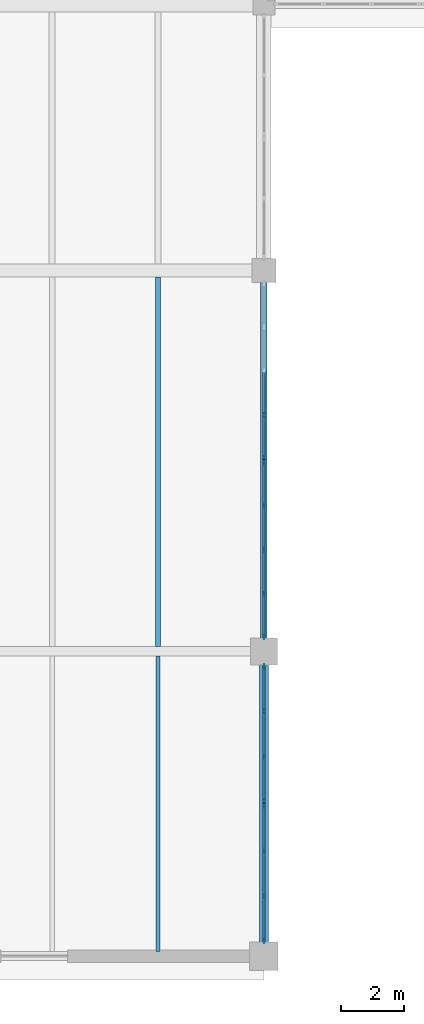
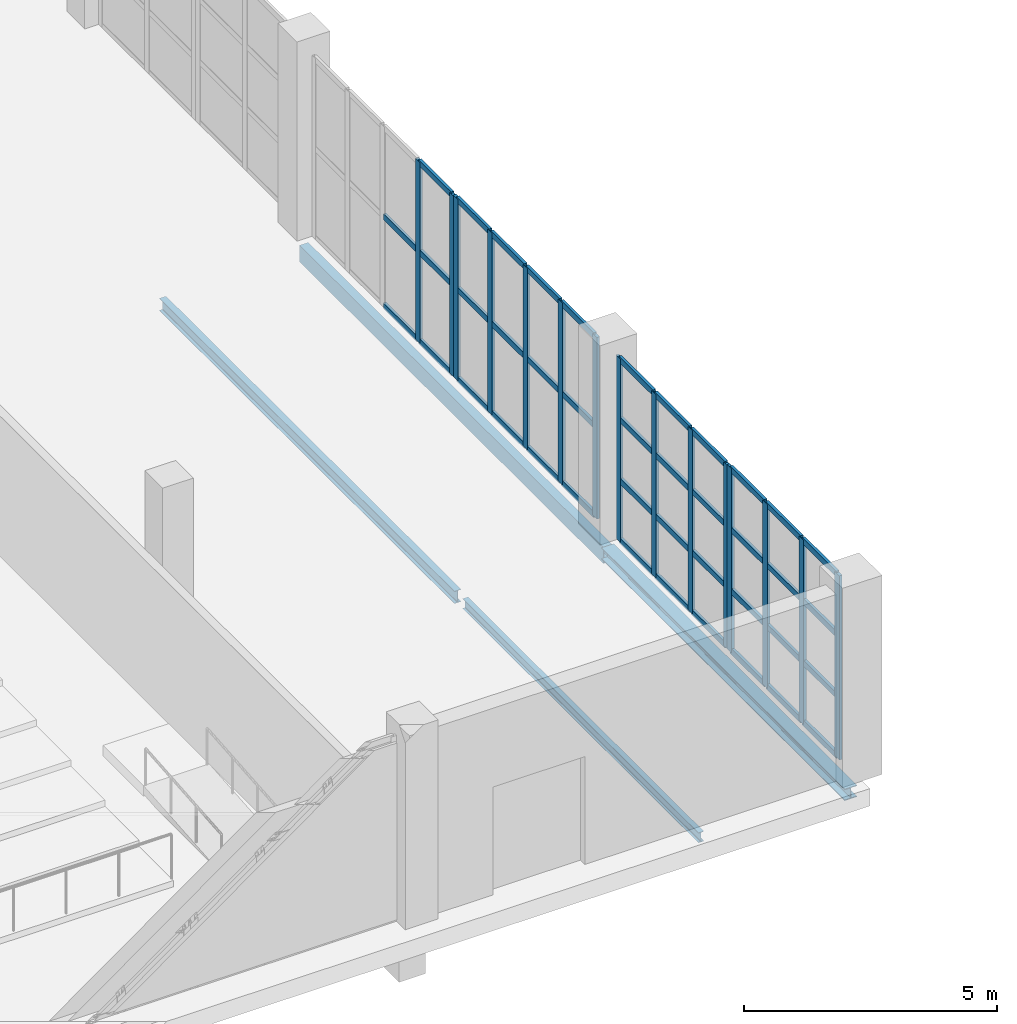
# One storey, part 62 of 121: 56 members, 4 beams, 4 elements without a shape of their own.
"""IFC4 building model written with IfcOpenShell, lengths in metres."""

import ifcopenshell
import ifcopenshell.guid

model = None  # the IFC model being written
_history = None  # IfcOwnerHistory: only IFC2X3 demands one
_inside = {}  # id of a spatial element -> (the spatial element, [elements in it])
_under = {}  # id of a project, library or spatial element -> (it, [spatial elements below it])
_declared = {}  # id of a project -> (the project, [libraries it declares])
_typed = {}  # id of a type object -> (the type object, [elements of that type])
_made_of = {}  # id of a material, layer set ... -> (it, [elements and type objects made of it])


def new_model(schema):
    """Start an empty IFC model of exactly this schema.

    Asked for "IFC4X3", IfcOpenShell would pick the latest addendum, in which some entities
    have other attributes; the version numbers below select the first issue.
    IFC2X3 requires an IfcOwnerHistory on every rooted entity: one is made here for all.
    """
    global model, _history
    if schema == "IFC4X3":
        model = ifcopenshell.file(schema_version=(4, 3, 0, 0))
    else:
        model = ifcopenshell.file(schema=schema)
    _inside.clear()
    _under.clear()
    _declared.clear()
    _typed.clear()
    _made_of.clear()
    _history = None
    if model.schema == "IFC2X3":
        org = make("IfcOrganization", Name="unknown")
        user = make(
            "IfcPersonAndOrganization",
            ThePerson=make("IfcPerson", FamilyName="unknown"),
            TheOrganization=org,
        )
        app = make(
            "IfcApplication",
            ApplicationDeveloper=org,
            Version="unknown",
            ApplicationFullName="unknown",
            ApplicationIdentifier="unknown",
        )
        _history = make(
            "IfcOwnerHistory",
            OwningUser=user,
            OwningApplication=app,
            ChangeAction="ADDED",
            CreationDate=0,
        )
    return model


def make(cls, **values):
    """One entity of the class cls with the attributes given. An attribute that is None is left unset."""
    return model.create_entity(
        cls, **{name: value for name, value in values.items() if value is not None}
    )


def rooted(cls, **values):
    """An entity with a GlobalId (a new one), such as an element, a storey or a relation."""
    return make(cls, GlobalId=ifcopenshell.guid.new(), OwnerHistory=_history, **values)


def si_unit(unit_type, name, prefix=None):
    """IfcSIUnit, for example si_unit("LENGTHUNIT", "METRE", prefix="MILLI")."""
    return make("IfcSIUnit", UnitType=unit_type, Prefix=prefix, Name=name)


def assignment(units):
    """IfcUnitAssignment: the units of a project."""
    return None if units is None else make("IfcUnitAssignment", Units=units)


def point(xyz):
    """IfcCartesianPoint."""
    return None if xyz is None else make("IfcCartesianPoint", Coordinates=xyz)


def direction(xyz):
    """IfcDirection."""
    return None if xyz is None else make("IfcDirection", DirectionRatios=xyz)


def frame(location, z_axis=None, x_axis=None):
    """IfcAxis2Placement3D, a coordinate frame: its origin and axes. An axis left out is left unset."""
    return make(
        "IfcAxis2Placement3D",
        Location=point(location),
        Axis=direction(z_axis),
        RefDirection=direction(x_axis),
    )


def frame_2d(location, x_axis=None):
    """IfcAxis2Placement2D, a coordinate frame in the plane: its origin and x axis."""
    return make(
        "IfcAxis2Placement2D", Location=point(location), RefDirection=direction(x_axis)
    )


def origin():
    """The frame at (0, 0, 0) with its axes left unset."""
    return frame((0.0, 0.0, 0.0))


def origin_2d():
    """The frame at (0, 0) in the plane with its x axis left unset."""
    return frame_2d((0.0, 0.0))


def place(relative_to, where):
    """IfcLocalPlacement: puts the frame where relative to a parent placement (None: the world)."""
    return make(
        "IfcLocalPlacement", PlacementRelTo=relative_to, RelativePlacement=where
    )


def context(
    kind, dimensions, precision=None, world=None, true_north=None, identifier=None
):
    """IfcGeometricRepresentationContext, for example the 3D "Model" context."""
    return make(
        "IfcGeometricRepresentationContext",
        ContextIdentifier=identifier,
        ContextType=kind,
        CoordinateSpaceDimension=dimensions,
        Precision=precision,
        WorldCoordinateSystem=world,
        TrueNorth=true_north,
    )


def subcontext(parent, identifier, kind, view, scale=None):
    """IfcGeometricRepresentationSubContext, for example "Body" below "Model"."""
    return make(
        "IfcGeometricRepresentationSubContext",
        ContextIdentifier=identifier,
        ContextType=kind,
        ParentContext=parent,
        TargetScale=scale,
        TargetView=view,
    )


def project(units=None, contexts=None):
    """IfcProject with its units and contexts."""
    return rooted(
        "IfcProject",
        Name="project",
        RepresentationContexts=contexts,
        UnitsInContext=assignment(units),
    )


def spatial(cls, under=None, at=None, **own):
    """A site, building, storey or space (cls), placed at a placement, below another one or the project."""
    s = rooted(cls, ObjectPlacement=at, **own)
    if under is not None:
        _under.setdefault(under.id(), (under, []))[1].append(s)
    return s


def profile(cls, at=None, kind="AREA", **sizes):
    """A parametric profile (cls). Its sizes go by their IFC names, for example OverallWidth=200.0."""
    return make(cls, ProfileType=kind, Position=at, **sizes)


def rectangle(**sizes):
    """IfcRectangleProfileDef."""
    return profile("IfcRectangleProfileDef", **sizes)


def hollow_rectangle(**sizes):
    """IfcRectangleHollowProfileDef."""
    return profile("IfcRectangleHollowProfileDef", **sizes)


def i_section(**sizes):
    """IfcIShapeProfileDef."""
    return profile("IfcIShapeProfileDef", **sizes)


def extrude(swept, where, along, depth):
    """IfcExtrudedAreaSolid: the profile swept, set in the frame where, extruded along a direction by depth."""
    return make(
        "IfcExtrudedAreaSolid",
        SweptArea=swept,
        Position=where,
        ExtrudedDirection=direction(along),
        Depth=depth,
    )


def shape(context_of_items, identifier, shape_type, items):
    """IfcShapeRepresentation: the items that make up one representation, for example the "Body"."""
    return make(
        "IfcShapeRepresentation",
        ContextOfItems=context_of_items,
        RepresentationIdentifier=identifier,
        RepresentationType=shape_type,
        Items=items,
    )


def material(Name=None, Category=None):
    """IfcMaterial."""
    return make("IfcMaterial", Name=Name, Category=Category)


def layer(
    of_material, thickness, ventilated=None, Name=None, Category=None, Priority=None
):
    """IfcMaterialLayer: one layer of a wall or slab, of a material (None: an air gap)."""
    return make(
        "IfcMaterialLayer",
        Material=of_material,
        LayerThickness=thickness,
        IsVentilated=ventilated,
        Name=Name,
        Category=Category,
        Priority=Priority,
    )


def layer_set(layers, Name=None):
    """IfcMaterialLayerSet."""
    return make("IfcMaterialLayerSet", MaterialLayers=layers, LayerSetName=Name)


def material_profile(
    of_material, cross_section, Name=None, Category=None, Priority=None
):
    """IfcMaterialProfile: a cross section and its material."""
    return make(
        "IfcMaterialProfile",
        Name=Name,
        Material=of_material,
        Profile=cross_section,
        Priority=Priority,
        Category=Category,
    )


def profile_set(profiles, Name=None, composite=None):
    """IfcMaterialProfileSet."""
    return make(
        "IfcMaterialProfileSet",
        Name=Name,
        MaterialProfiles=profiles,
        CompositeProfile=composite,
    )


def made_of(thing, what):
    """Note that an element or type object is made of a material, layer set ...; save() writes the relation."""
    if what is not None:
        _made_of.setdefault(what.id(), (what, []))[1].append(thing)
    return thing


def type_object(cls, material=None, **own):
    """A type object (cls), such as IfcWallType, which elements share."""
    return made_of(rooted(cls, **own), material)


def element(
    cls,
    number,
    at=None,
    inside=None,
    cuts=None,
    type_object=None,
    material=None,
    context=None,
    identifier="Body",
    shape_type=None,
    held_by="IfcProductDefinitionShape",
    body=None,
    shapes=None,
    **own,
):
    """One element of the class cls, such as IfcWall. Its Tag is "e" and its number.

    at: its placement. inside: the storey or other place that contains it. cuts: it is an
    opening in that element (IfcRelVoidsElement). A single representation is given by context,
    identifier, shape_type and body (its items); several are given by shapes. held_by: the class
    of the entity that holds the representations. save() writes the other relations.
    """
    e = rooted(cls, Tag="e%d" % number, ObjectPlacement=at, **own)
    if body is not None:
        shapes = [shape(context, identifier, shape_type, body)]
    if shapes is not None:
        e.Representation = make(held_by, Representations=shapes)
    if inside is not None:
        _inside.setdefault(inside.id(), (inside, []))[1].append(e)
    if cuts is not None:
        rooted(
            "IfcRelVoidsElement", RelatingBuildingElement=cuts, RelatedOpeningElement=e
        )
    if type_object is not None:
        _typed.setdefault(type_object.id(), (type_object, []))[1].append(e)
    return made_of(e, material)


def aggregate(whole, parts):
    """IfcRelAggregates: a whole, such as a stair, and the parts it consists of."""
    return rooted("IfcRelAggregates", RelatingObject=whole, RelatedObjects=parts)


def save(model, path):
    """Write the relations noted so far, then the file.

    IfcRelAggregates (storeys below a building ...), IfcRelContainedInSpatialStructure (elements
    in a storey), IfcRelDefinesByType, IfcRelAssociatesMaterial and IfcRelDeclares: one each for
    every whole, place, type object, material and project.
    """
    for whole, parts in _under.values():
        aggregate(whole, parts)
    for where, things in _inside.values():
        rooted(
            "IfcRelContainedInSpatialStructure",
            RelatedElements=things,
            RelatingStructure=where,
        )
    for kind, things in _typed.values():
        rooted("IfcRelDefinesByType", RelatedObjects=things, RelatingType=kind)
    for what, things in _made_of.values():
        rooted("IfcRelAssociatesMaterial", RelatedObjects=things, RelatingMaterial=what)
    for by, libraries in _declared.values():
        rooted("IfcRelDeclares", RelatingContext=by, RelatedDefinitions=libraries)
    model.write(path)


model = new_model("IFC4")

# Units and contexts
model_context = context("Model", 3, precision=1e-05, world=origin(), true_north=direction((0.0, 1.0)))
body_context = subcontext(model_context, "Body", "Model", "MODEL_VIEW")
ifc_project = project(units=[si_unit("LENGTHUNIT", "METRE"), si_unit("AREAUNIT", "SQUARE_METRE"), si_unit("VOLUMEUNIT", "CUBIC_METRE"), si_unit("PLANEANGLEUNIT", "RADIAN"), si_unit("MASSUNIT", "GRAM", prefix="KILO")], contexts=[model_context])

# Site, building, storey
site_placement = place(None, origin())
site = spatial("IfcSite", under=ifc_project, at=site_placement, CompositionType="ELEMENT")
building_placement = place(site_placement, origin())
building = spatial("IfcBuilding", under=site, at=building_placement, Name="Zereglee Splitstone Museum", CompositionType="ELEMENT")
storey_placement = place(building_placement, origin())
storey = spatial("IfcBuildingStorey", under=building, at=storey_placement, Name="L00", CompositionType="ELEMENT", Elevation=0.0)

# Curtain wall, members
ifc_material_1 = material(Name="Triple-glazed low-E argon glass and bronze-anodised aluminium", Category="aluminium")
ifc_layer_1 = layer(ifc_material_1, 0.179931640625)
ifc_layer_set_1 = layer_set([ifc_layer_1], Name="Triple-glazed low-E argon glass and bronze-anodised aluminium")
curtain_wall_type_1 = type_object("IfcCurtainWallType", Name="CW-0431-444", PredefinedType="USERDEFINED", material=ifc_layer_set_1)
curtain_wall_1_placement = place(storey_placement, origin())
curtain_wall_1 = element("IfcCurtainWall", 1, at=curtain_wall_1_placement, inside=storey, type_object=curtain_wall_type_1, Name="Glazed Curtain Wall CW-0431-444 (L00)", ObjectType="GLAZED CURTAIN WALL", PredefinedType="USERDEFINED")
ifc_material_2 = material(Name="Thermally broken bronze-anodised aluminium", Category="aluminium")
ifc_material_profile_1 = material_profile(ifc_material_2, rectangle(XDim=0.06494140625, YDim=0.179931640625, at=origin_2d()), Name="CW MULL 65x180")
ifc_profile_set_1 = profile_set([ifc_material_profile_1], Name="Thermally broken bronze-anodised aluminium")
member_type_1 = type_object("IfcMemberType", Name="CWM-01", PredefinedType="MULLION", material=ifc_profile_set_1)
member_1_placement = place(storey_placement, frame((296.0, 0.490478515625, 0.0), z_axis=(0.0, 0.0, 1.0), x_axis=(-1.0, 0.0, 0.0)))
member_1 = element("IfcMember", 2, at=member_1_placement, type_object=member_type_1, Name="CW-0431-444 mullion 1", PredefinedType="MULLION", context=body_context, shape_type="SweptSolid", body=[
    extrude(rectangle(XDim=0.06494140625, YDim=0.179931640625, at=origin_2d()), origin(), (0.0, 0.0, 1.0), 4.43994140625),
])
member_2_placement = place(storey_placement, frame((296.0, 1.896240234375, 0.0), z_axis=(0.0, 0.0, 1.0), x_axis=(-1.0, 0.0, 0.0)))
member_2 = element("IfcMember", 3, at=member_2_placement, type_object=member_type_1, Name="CW-0431-444 mullion 2", PredefinedType="MULLION", context=body_context, shape_type="SweptSolid", body=[
    extrude(rectangle(XDim=0.06494140625, YDim=0.179931640625, at=origin_2d()), origin(), (0.0, 0.0, 1.0), 4.43994140625),
])
member_3_placement = place(storey_placement, frame((296.0, 3.334228515625, 0.0), z_axis=(0.0, 0.0, 1.0), x_axis=(-1.0, 0.0, 0.0)))
member_3 = element("IfcMember", 4, at=member_3_placement, type_object=member_type_1, Name="CW-0431-444 mullion 3", PredefinedType="MULLION", context=body_context, shape_type="SweptSolid", body=[
    extrude(rectangle(XDim=0.06494140625, YDim=0.179931640625, at=origin_2d()), origin(), (0.0, 0.0, 1.0), 4.43994140625),
])
member_4_placement = place(storey_placement, frame((296.0, 4.739990234375, 0.0), z_axis=(0.0, 0.0, 1.0), x_axis=(-1.0, 0.0, 0.0)))
member_4 = element("IfcMember", 5, at=member_4_placement, type_object=member_type_1, Name="CW-0431-444 mullion 4", PredefinedType="MULLION", context=body_context, shape_type="SweptSolid", body=[
    extrude(rectangle(XDim=0.06494140625, YDim=0.179931640625, at=origin_2d()), origin(), (0.0, 0.0, 1.0), 4.43994140625),
])

ifc_layer_2 = layer(ifc_material_1, 0.179931640625)
ifc_layer_set_2 = layer_set([ifc_layer_2], Name="Triple-glazed low-E argon glass and bronze-anodised aluminium")
curtain_wall_type_2 = type_object("IfcCurtainWallType", Name="CW-0431-442", PredefinedType="USERDEFINED", material=ifc_layer_set_2)
curtain_wall_2_placement = place(storey_placement, origin())
curtain_wall_2 = element("IfcCurtainWall", 6, at=curtain_wall_2_placement, inside=storey, type_object=curtain_wall_type_2, Name="Glazed Curtain Wall CW-0431-442 (L00)", ObjectType="GLAZED CURTAIN WALL", PredefinedType="USERDEFINED")
member_5_placement = place(storey_placement, frame((296.0, 4.885009765625, 0.0), z_axis=(0.0, 0.0, 1.0), x_axis=(-1.0, 0.0, 0.0)))
member_5 = element("IfcMember", 7, at=member_5_placement, type_object=member_type_1, Name="CW-0431-442 mullion 1", PredefinedType="MULLION", context=body_context, shape_type="SweptSolid", body=[
    extrude(rectangle(XDim=0.06494140625, YDim=0.179931640625, at=origin_2d()), origin(), (0.0, 0.0, 1.0), 4.419921875),
])
member_6_placement = place(storey_placement, frame((296.0, 6.290771484375, 0.0), z_axis=(0.0, 0.0, 1.0), x_axis=(-1.0, 0.0, 0.0)))
member_6 = element("IfcMember", 8, at=member_6_placement, type_object=member_type_1, Name="CW-0431-442 mullion 2", PredefinedType="MULLION", context=body_context, shape_type="SweptSolid", body=[
    extrude(rectangle(XDim=0.06494140625, YDim=0.179931640625, at=origin_2d()), origin(), (0.0, 0.0, 1.0), 4.419921875),
])
member_7_placement = place(storey_placement, frame((296.0, 7.728759765625, 0.0), z_axis=(0.0, 0.0, 1.0), x_axis=(-1.0, 0.0, 0.0)))
member_7 = element("IfcMember", 9, at=member_7_placement, type_object=member_type_1, Name="CW-0431-442 mullion 3", PredefinedType="MULLION", context=body_context, shape_type="SweptSolid", body=[
    extrude(rectangle(XDim=0.06494140625, YDim=0.179931640625, at=origin_2d()), origin(), (0.0, 0.0, 1.0), 4.419921875),
])
member_8_placement = place(storey_placement, frame((296.0, 9.134521484375, 0.0), z_axis=(0.0, 0.0, 1.0), x_axis=(-1.0, 0.0, 0.0)))
member_8 = element("IfcMember", 10, at=member_8_placement, type_object=member_type_1, Name="CW-0431-442 mullion 4", PredefinedType="MULLION", context=body_context, shape_type="SweptSolid", body=[
    extrude(rectangle(XDim=0.06494140625, YDim=0.179931640625, at=origin_2d()), origin(), (0.0, 0.0, 1.0), 4.419921875),
])

ifc_layer_3 = layer(ifc_material_1, 0.179931640625)
ifc_layer_set_3 = layer_set([ifc_layer_3], Name="Triple-glazed low-E argon glass and bronze-anodised aluminium")
curtain_wall_type_3 = type_object("IfcCurtainWallType", Name="CW-0555-438", PredefinedType="USERDEFINED", material=ifc_layer_set_3)
curtain_wall_3_placement = place(storey_placement, origin())
curtain_wall_3 = element("IfcCurtainWall", 11, at=curtain_wall_3_placement, inside=storey, type_object=curtain_wall_type_3, Name="Glazed Curtain Wall CW-0555-438 (L00)", ObjectType="GLAZED CURTAIN WALL", PredefinedType="USERDEFINED")
member_9_placement = place(storey_placement, frame((296.0, 10.0654296875, 0.0), z_axis=(0.0, 0.0, 1.0), x_axis=(-1.0, 0.0, 0.0)))
member_9 = element("IfcMember", 12, at=member_9_placement, type_object=member_type_1, Name="CW-0555-438 mullion 1", PredefinedType="MULLION", context=body_context, shape_type="SweptSolid", body=[
    extrude(rectangle(XDim=0.06494140625, YDim=0.179931640625, at=origin_2d()), origin(), (0.0, 0.0, 1.0), 4.3798828125),
])
member_10_placement = place(storey_placement, frame((296.0, 11.4208984375, 0.0), z_axis=(0.0, 0.0, 1.0), x_axis=(-1.0, 0.0, 0.0)))
member_10 = element("IfcMember", 13, at=member_10_placement, type_object=member_type_1, Name="CW-0555-438 mullion 2", PredefinedType="MULLION", context=body_context, shape_type="SweptSolid", body=[
    extrude(rectangle(XDim=0.06494140625, YDim=0.179931640625, at=origin_2d()), origin(), (0.0, 0.0, 1.0), 4.3798828125),
])
member_11_placement = place(storey_placement, frame((296.0, 12.80908203125, 0.0), z_axis=(0.0, 0.0, 1.0), x_axis=(-1.0, 0.0, 0.0)))
member_11 = element("IfcMember", 14, at=member_11_placement, type_object=member_type_1, Name="CW-0555-438 mullion 3", PredefinedType="MULLION", context=body_context, shape_type="SweptSolid", body=[
    extrude(rectangle(XDim=0.06494140625, YDim=0.179931640625, at=origin_2d()), origin(), (0.0, 0.0, 1.0), 4.3798828125),
])
member_12_placement = place(storey_placement, frame((296.0, 14.197021484375, 0.0), z_axis=(0.0, 0.0, 1.0), x_axis=(-1.0, 0.0, 0.0)))
member_12 = element("IfcMember", 15, at=member_12_placement, type_object=member_type_1, Name="CW-0555-438 mullion 4", PredefinedType="MULLION", context=body_context, shape_type="SweptSolid", body=[
    extrude(rectangle(XDim=0.06494140625, YDim=0.179931640625, at=origin_2d()), origin(), (0.0, 0.0, 1.0), 4.3798828125),
])
member_13_placement = place(storey_placement, frame((296.0, 15.552490234375, 0.0), z_axis=(0.0, 0.0, 1.0), x_axis=(-1.0, 0.0, 0.0)))
member_13 = element("IfcMember", 16, at=member_13_placement, type_object=member_type_1, Name="CW-0555-438 mullion 5", PredefinedType="MULLION", context=body_context, shape_type="SweptSolid", body=[
    extrude(rectangle(XDim=0.06494140625, YDim=0.179931640625, at=origin_2d()), origin(), (0.0, 0.0, 1.0), 4.3798828125),
])

ifc_layer_4 = layer(ifc_material_1, 0.179931640625)
ifc_layer_set_4 = layer_set([ifc_layer_4], Name="Triple-glazed low-E argon glass and bronze-anodised aluminium")
curtain_wall_type_4 = type_object("IfcCurtainWallType", Name="CW-0555-436", PredefinedType="USERDEFINED", material=ifc_layer_set_4)
curtain_wall_4_placement = place(storey_placement, origin())
curtain_wall_4 = element("IfcCurtainWall", 17, at=curtain_wall_4_placement, inside=storey, type_object=curtain_wall_type_4, Name="Glazed Curtain Wall CW-0555-436 (L00)", ObjectType="GLAZED CURTAIN WALL", PredefinedType="USERDEFINED")
member_14_placement = place(storey_placement, frame((296.0, 15.697509765625, 0.0), z_axis=(0.0, 0.0, 1.0), x_axis=(-1.0, 0.0, 0.0)))
member_14 = element("IfcMember", 18, at=member_14_placement, type_object=member_type_1, Name="CW-0555-436 mullion 1", PredefinedType="MULLION", context=body_context, shape_type="SweptSolid", body=[
    extrude(rectangle(XDim=0.06494140625, YDim=0.179931640625, at=origin_2d()), origin(), (0.0, 0.0, 1.0), 4.360107421875),
])
member_15_placement = place(storey_placement, frame((296.0, 17.052978515625, 0.0), z_axis=(0.0, 0.0, 1.0), x_axis=(-1.0, 0.0, 0.0)))
member_15 = element("IfcMember", 19, at=member_15_placement, type_object=member_type_1, Name="CW-0555-436 mullion 2", PredefinedType="MULLION", context=body_context, shape_type="SweptSolid", body=[
    extrude(rectangle(XDim=0.06494140625, YDim=0.179931640625, at=origin_2d()), origin(), (0.0, 0.0, 1.0), 4.360107421875),
])

# Member
ifc_material_profile_2 = material_profile(ifc_material_2, rectangle(XDim=0.06494140625, YDim=0.139892578125, at=origin_2d()), Name="CW TRAN 65x140")
ifc_profile_set_2 = profile_set([ifc_material_profile_2], Name="Thermally broken bronze-anodised aluminium")
member_type_2 = type_object("IfcMemberType", Name="CWT-01", PredefinedType="USERDEFINED", material=ifc_profile_set_2)
member_16_placement = place(storey_placement, frame((296.0, 0.52294921875, 0.032470703125), z_axis=(0.0, 1.0, 0.0), x_axis=(-1.0, 0.0, 0.0)))
member_16 = element("IfcMember", 20, at=member_16_placement, type_object=member_type_2, Name="CW-0431-444 transom 1.1", ObjectType="TRANSOM", PredefinedType="USERDEFINED", context=body_context, shape_type="SweptSolid", body=[
    extrude(rectangle(XDim=0.06494140625, YDim=0.139892578125, at=origin_2d()), origin(), (0.0, 0.0, 1.0), 1.3408203125),
])

member_17_placement = place(storey_placement, frame((296.0, 0.52294921875, 1.47998046875), z_axis=(0.0, 1.0, 0.0), x_axis=(-1.0, 0.0, 0.0)))
member_17 = element("IfcMember", 21, at=member_17_placement, type_object=member_type_2, Name="CW-0431-444 transom 1.2", ObjectType="TRANSOM", PredefinedType="USERDEFINED", context=body_context, shape_type="SweptSolid", body=[
    extrude(rectangle(XDim=0.06494140625, YDim=0.139892578125, at=origin_2d()), origin(), (0.0, 0.0, 1.0), 1.3408203125),
])

member_18_placement = place(storey_placement, frame((296.0, 0.52294921875, 2.9599609375), z_axis=(0.0, 1.0, 0.0), x_axis=(-1.0, 0.0, 0.0)))
member_18 = element("IfcMember", 22, at=member_18_placement, type_object=member_type_2, Name="CW-0431-444 transom 1.3", ObjectType="TRANSOM", PredefinedType="USERDEFINED", context=body_context, shape_type="SweptSolid", body=[
    extrude(rectangle(XDim=0.06494140625, YDim=0.139892578125, at=origin_2d()), origin(), (0.0, 0.0, 1.0), 1.3408203125),
])

member_19_placement = place(storey_placement, frame((296.0, 0.52294921875, 4.407470703125), z_axis=(0.0, 1.0, 0.0), x_axis=(-1.0, 0.0, 0.0)))
member_19 = element("IfcMember", 23, at=member_19_placement, type_object=member_type_2, Name="CW-0431-444 transom 1.4", ObjectType="TRANSOM", PredefinedType="USERDEFINED", context=body_context, shape_type="SweptSolid", body=[
    extrude(rectangle(XDim=0.06494140625, YDim=0.139892578125, at=origin_2d()), origin(), (0.0, 0.0, 1.0), 1.3408203125),
])

member_20_placement = place(storey_placement, frame((296.0, 1.9287109375, 0.032470703125), z_axis=(0.0, 1.0, 0.0), x_axis=(-1.0, 0.0, 0.0)))
member_20 = element("IfcMember", 24, at=member_20_placement, type_object=member_type_2, Name="CW-0431-444 transom 2.1", ObjectType="TRANSOM", PredefinedType="USERDEFINED", context=body_context, shape_type="SweptSolid", body=[
    extrude(rectangle(XDim=0.06494140625, YDim=0.139892578125, at=origin_2d()), origin(), (0.0, 0.0, 1.0), 1.373046875),
])

member_21_placement = place(storey_placement, frame((296.0, 1.9287109375, 1.47998046875), z_axis=(0.0, 1.0, 0.0), x_axis=(-1.0, 0.0, 0.0)))
member_21 = element("IfcMember", 25, at=member_21_placement, type_object=member_type_2, Name="CW-0431-444 transom 2.2", ObjectType="TRANSOM", PredefinedType="USERDEFINED", context=body_context, shape_type="SweptSolid", body=[
    extrude(rectangle(XDim=0.06494140625, YDim=0.139892578125, at=origin_2d()), origin(), (0.0, 0.0, 1.0), 1.373046875),
])

member_22_placement = place(storey_placement, frame((296.0, 1.9287109375, 2.9599609375), z_axis=(0.0, 1.0, 0.0), x_axis=(-1.0, 0.0, 0.0)))
member_22 = element("IfcMember", 26, at=member_22_placement, type_object=member_type_2, Name="CW-0431-444 transom 2.3", ObjectType="TRANSOM", PredefinedType="USERDEFINED", context=body_context, shape_type="SweptSolid", body=[
    extrude(rectangle(XDim=0.06494140625, YDim=0.139892578125, at=origin_2d()), origin(), (0.0, 0.0, 1.0), 1.373046875),
])

member_23_placement = place(storey_placement, frame((296.0, 1.9287109375, 4.407470703125), z_axis=(0.0, 1.0, 0.0), x_axis=(-1.0, 0.0, 0.0)))
member_23 = element("IfcMember", 27, at=member_23_placement, type_object=member_type_2, Name="CW-0431-444 transom 2.4", ObjectType="TRANSOM", PredefinedType="USERDEFINED", context=body_context, shape_type="SweptSolid", body=[
    extrude(rectangle(XDim=0.06494140625, YDim=0.139892578125, at=origin_2d()), origin(), (0.0, 0.0, 1.0), 1.373046875),
])

member_24_placement = place(storey_placement, frame((296.0, 3.366943359375, 0.032470703125), z_axis=(0.0, 1.0, 0.0), x_axis=(-1.0, 0.0, 0.0)))
member_24 = element("IfcMember", 28, at=member_24_placement, type_object=member_type_2, Name="CW-0431-444 transom 3.1", ObjectType="TRANSOM", PredefinedType="USERDEFINED", context=body_context, shape_type="SweptSolid", body=[
    extrude(rectangle(XDim=0.06494140625, YDim=0.139892578125, at=origin_2d()), origin(), (0.0, 0.0, 1.0), 1.340576171875),
])

member_25_placement = place(storey_placement, frame((296.0, 3.366943359375, 1.47998046875), z_axis=(0.0, 1.0, 0.0), x_axis=(-1.0, 0.0, 0.0)))
member_25 = element("IfcMember", 29, at=member_25_placement, type_object=member_type_2, Name="CW-0431-444 transom 3.2", ObjectType="TRANSOM", PredefinedType="USERDEFINED", context=body_context, shape_type="SweptSolid", body=[
    extrude(rectangle(XDim=0.06494140625, YDim=0.139892578125, at=origin_2d()), origin(), (0.0, 0.0, 1.0), 1.340576171875),
])

member_26_placement = place(storey_placement, frame((296.0, 3.366943359375, 2.9599609375), z_axis=(0.0, 1.0, 0.0), x_axis=(-1.0, 0.0, 0.0)))
member_26 = element("IfcMember", 30, at=member_26_placement, type_object=member_type_2, Name="CW-0431-444 transom 3.3", ObjectType="TRANSOM", PredefinedType="USERDEFINED", context=body_context, shape_type="SweptSolid", body=[
    extrude(rectangle(XDim=0.06494140625, YDim=0.139892578125, at=origin_2d()), origin(), (0.0, 0.0, 1.0), 1.340576171875),
])

member_27_placement = place(storey_placement, frame((296.0, 3.366943359375, 4.407470703125), z_axis=(0.0, 1.0, 0.0), x_axis=(-1.0, 0.0, 0.0)))
member_27 = element("IfcMember", 31, at=member_27_placement, type_object=member_type_2, Name="CW-0431-444 transom 3.4", ObjectType="TRANSOM", PredefinedType="USERDEFINED", context=body_context, shape_type="SweptSolid", body=[
    extrude(rectangle(XDim=0.06494140625, YDim=0.139892578125, at=origin_2d()), origin(), (0.0, 0.0, 1.0), 1.340576171875),
])

aggregate(curtain_wall_1, [member_1, member_2, member_3, member_4, member_16, member_17, member_18, member_19, member_20, member_21, member_22, member_23, member_24, member_25, member_26, member_27])

member_28_placement = place(storey_placement, frame((296.0, 4.91748046875, 0.032470703125), z_axis=(0.0, 1.0, 0.0), x_axis=(-1.0, 0.0, 0.0)))
member_28 = element("IfcMember", 32, at=member_28_placement, type_object=member_type_2, Name="CW-0431-442 transom 1.1", ObjectType="TRANSOM", PredefinedType="USERDEFINED", context=body_context, shape_type="SweptSolid", body=[
    extrude(rectangle(XDim=0.06494140625, YDim=0.139892578125, at=origin_2d()), origin(), (0.0, 0.0, 1.0), 1.340576171875),
])

member_29_placement = place(storey_placement, frame((296.0, 4.91748046875, 1.473388671875), z_axis=(0.0, 1.0, 0.0), x_axis=(-1.0, 0.0, 0.0)))
member_29 = element("IfcMember", 33, at=member_29_placement, type_object=member_type_2, Name="CW-0431-442 transom 1.2", ObjectType="TRANSOM", PredefinedType="USERDEFINED", context=body_context, shape_type="SweptSolid", body=[
    extrude(rectangle(XDim=0.06494140625, YDim=0.139892578125, at=origin_2d()), origin(), (0.0, 0.0, 1.0), 1.340576171875),
])

member_30_placement = place(storey_placement, frame((296.0, 4.91748046875, 2.94677734375), z_axis=(0.0, 1.0, 0.0), x_axis=(-1.0, 0.0, 0.0)))
member_30 = element("IfcMember", 34, at=member_30_placement, type_object=member_type_2, Name="CW-0431-442 transom 1.3", ObjectType="TRANSOM", PredefinedType="USERDEFINED", context=body_context, shape_type="SweptSolid", body=[
    extrude(rectangle(XDim=0.06494140625, YDim=0.139892578125, at=origin_2d()), origin(), (0.0, 0.0, 1.0), 1.340576171875),
])

member_31_placement = place(storey_placement, frame((296.0, 4.91748046875, 4.387451171875), z_axis=(0.0, 1.0, 0.0), x_axis=(-1.0, 0.0, 0.0)))
member_31 = element("IfcMember", 35, at=member_31_placement, type_object=member_type_2, Name="CW-0431-442 transom 1.4", ObjectType="TRANSOM", PredefinedType="USERDEFINED", context=body_context, shape_type="SweptSolid", body=[
    extrude(rectangle(XDim=0.06494140625, YDim=0.139892578125, at=origin_2d()), origin(), (0.0, 0.0, 1.0), 1.340576171875),
])

member_32_placement = place(storey_placement, frame((296.0, 6.3232421875, 0.032470703125), z_axis=(0.0, 1.0, 0.0), x_axis=(-1.0, 0.0, 0.0)))
member_32 = element("IfcMember", 36, at=member_32_placement, type_object=member_type_2, Name="CW-0431-442 transom 2.1", ObjectType="TRANSOM", PredefinedType="USERDEFINED", context=body_context, shape_type="SweptSolid", body=[
    extrude(rectangle(XDim=0.06494140625, YDim=0.139892578125, at=origin_2d()), origin(), (0.0, 0.0, 1.0), 1.373046875),
])

member_33_placement = place(storey_placement, frame((296.0, 6.3232421875, 1.473388671875), z_axis=(0.0, 1.0, 0.0), x_axis=(-1.0, 0.0, 0.0)))
member_33 = element("IfcMember", 37, at=member_33_placement, type_object=member_type_2, Name="CW-0431-442 transom 2.2", ObjectType="TRANSOM", PredefinedType="USERDEFINED", context=body_context, shape_type="SweptSolid", body=[
    extrude(rectangle(XDim=0.06494140625, YDim=0.139892578125, at=origin_2d()), origin(), (0.0, 0.0, 1.0), 1.373046875),
])

member_34_placement = place(storey_placement, frame((296.0, 6.3232421875, 2.94677734375), z_axis=(0.0, 1.0, 0.0), x_axis=(-1.0, 0.0, 0.0)))
member_34 = element("IfcMember", 38, at=member_34_placement, type_object=member_type_2, Name="CW-0431-442 transom 2.3", ObjectType="TRANSOM", PredefinedType="USERDEFINED", context=body_context, shape_type="SweptSolid", body=[
    extrude(rectangle(XDim=0.06494140625, YDim=0.139892578125, at=origin_2d()), origin(), (0.0, 0.0, 1.0), 1.373046875),
])

member_35_placement = place(storey_placement, frame((296.0, 6.3232421875, 4.387451171875), z_axis=(0.0, 1.0, 0.0), x_axis=(-1.0, 0.0, 0.0)))
member_35 = element("IfcMember", 39, at=member_35_placement, type_object=member_type_2, Name="CW-0431-442 transom 2.4", ObjectType="TRANSOM", PredefinedType="USERDEFINED", context=body_context, shape_type="SweptSolid", body=[
    extrude(rectangle(XDim=0.06494140625, YDim=0.139892578125, at=origin_2d()), origin(), (0.0, 0.0, 1.0), 1.373046875),
])

member_36_placement = place(storey_placement, frame((296.0, 7.76123046875, 0.032470703125), z_axis=(0.0, 1.0, 0.0), x_axis=(-1.0, 0.0, 0.0)))
member_36 = element("IfcMember", 40, at=member_36_placement, type_object=member_type_2, Name="CW-0431-442 transom 3.1", ObjectType="TRANSOM", PredefinedType="USERDEFINED", context=body_context, shape_type="SweptSolid", body=[
    extrude(rectangle(XDim=0.06494140625, YDim=0.139892578125, at=origin_2d()), origin(), (0.0, 0.0, 1.0), 1.3408203125),
])

member_37_placement = place(storey_placement, frame((296.0, 7.76123046875, 1.473388671875), z_axis=(0.0, 1.0, 0.0), x_axis=(-1.0, 0.0, 0.0)))
member_37 = element("IfcMember", 41, at=member_37_placement, type_object=member_type_2, Name="CW-0431-442 transom 3.2", ObjectType="TRANSOM", PredefinedType="USERDEFINED", context=body_context, shape_type="SweptSolid", body=[
    extrude(rectangle(XDim=0.06494140625, YDim=0.139892578125, at=origin_2d()), origin(), (0.0, 0.0, 1.0), 1.3408203125),
])

member_38_placement = place(storey_placement, frame((296.0, 7.76123046875, 2.94677734375), z_axis=(0.0, 1.0, 0.0), x_axis=(-1.0, 0.0, 0.0)))
member_38 = element("IfcMember", 42, at=member_38_placement, type_object=member_type_2, Name="CW-0431-442 transom 3.3", ObjectType="TRANSOM", PredefinedType="USERDEFINED", context=body_context, shape_type="SweptSolid", body=[
    extrude(rectangle(XDim=0.06494140625, YDim=0.139892578125, at=origin_2d()), origin(), (0.0, 0.0, 1.0), 1.3408203125),
])

member_39_placement = place(storey_placement, frame((296.0, 7.76123046875, 4.387451171875), z_axis=(0.0, 1.0, 0.0), x_axis=(-1.0, 0.0, 0.0)))
member_39 = element("IfcMember", 43, at=member_39_placement, type_object=member_type_2, Name="CW-0431-442 transom 3.4", ObjectType="TRANSOM", PredefinedType="USERDEFINED", context=body_context, shape_type="SweptSolid", body=[
    extrude(rectangle(XDim=0.06494140625, YDim=0.139892578125, at=origin_2d()), origin(), (0.0, 0.0, 1.0), 1.3408203125),
])

aggregate(curtain_wall_2, [member_5, member_6, member_7, member_8, member_28, member_29, member_30, member_31, member_32, member_33, member_34, member_35, member_36, member_37, member_38, member_39])

member_40_placement = place(storey_placement, frame((296.0, 10.097900390625, 0.032470703125), z_axis=(0.0, 1.0, 0.0), x_axis=(-1.0, 0.0, 0.0)))
member_40 = element("IfcMember", 44, at=member_40_placement, type_object=member_type_2, Name="CW-0555-438 transom 1.1", ObjectType="TRANSOM", PredefinedType="USERDEFINED", context=body_context, shape_type="SweptSolid", body=[
    extrude(rectangle(XDim=0.06494140625, YDim=0.139892578125, at=origin_2d()), origin(), (0.0, 0.0, 1.0), 1.29052734375),
])

member_41_placement = place(storey_placement, frame((296.0, 10.097900390625, 2.18994140625), z_axis=(0.0, 1.0, 0.0), x_axis=(-1.0, 0.0, 0.0)))
member_41 = element("IfcMember", 45, at=member_41_placement, type_object=member_type_2, Name="CW-0555-438 transom 1.2", ObjectType="TRANSOM", PredefinedType="USERDEFINED", context=body_context, shape_type="SweptSolid", body=[
    extrude(rectangle(XDim=0.06494140625, YDim=0.139892578125, at=origin_2d()), origin(), (0.0, 0.0, 1.0), 1.29052734375),
])

member_42_placement = place(storey_placement, frame((296.0, 10.097900390625, 4.347412109375), z_axis=(0.0, 1.0, 0.0), x_axis=(-1.0, 0.0, 0.0)))
member_42 = element("IfcMember", 46, at=member_42_placement, type_object=member_type_2, Name="CW-0555-438 transom 1.3", ObjectType="TRANSOM", PredefinedType="USERDEFINED", context=body_context, shape_type="SweptSolid", body=[
    extrude(rectangle(XDim=0.06494140625, YDim=0.139892578125, at=origin_2d()), origin(), (0.0, 0.0, 1.0), 1.29052734375),
])

member_43_placement = place(storey_placement, frame((296.0, 11.45361328125, 0.032470703125), z_axis=(0.0, 1.0, 0.0), x_axis=(-1.0, 0.0, 0.0)))
member_43 = element("IfcMember", 47, at=member_43_placement, type_object=member_type_2, Name="CW-0555-438 transom 2.1", ObjectType="TRANSOM", PredefinedType="USERDEFINED", context=body_context, shape_type="SweptSolid", body=[
    extrude(rectangle(XDim=0.06494140625, YDim=0.139892578125, at=origin_2d()), origin(), (0.0, 0.0, 1.0), 1.322998046875),
])

member_44_placement = place(storey_placement, frame((296.0, 11.45361328125, 2.18994140625), z_axis=(0.0, 1.0, 0.0), x_axis=(-1.0, 0.0, 0.0)))
member_44 = element("IfcMember", 48, at=member_44_placement, type_object=member_type_2, Name="CW-0555-438 transom 2.2", ObjectType="TRANSOM", PredefinedType="USERDEFINED", context=body_context, shape_type="SweptSolid", body=[
    extrude(rectangle(XDim=0.06494140625, YDim=0.139892578125, at=origin_2d()), origin(), (0.0, 0.0, 1.0), 1.322998046875),
])

member_45_placement = place(storey_placement, frame((296.0, 11.45361328125, 4.347412109375), z_axis=(0.0, 1.0, 0.0), x_axis=(-1.0, 0.0, 0.0)))
member_45 = element("IfcMember", 49, at=member_45_placement, type_object=member_type_2, Name="CW-0555-438 transom 2.3", ObjectType="TRANSOM", PredefinedType="USERDEFINED", context=body_context, shape_type="SweptSolid", body=[
    extrude(rectangle(XDim=0.06494140625, YDim=0.139892578125, at=origin_2d()), origin(), (0.0, 0.0, 1.0), 1.322998046875),
])

member_46_placement = place(storey_placement, frame((296.0, 12.841552734375, 0.032470703125), z_axis=(0.0, 1.0, 0.0), x_axis=(-1.0, 0.0, 0.0)))
member_46 = element("IfcMember", 50, at=member_46_placement, type_object=member_type_2, Name="CW-0555-438 transom 3.1", ObjectType="TRANSOM", PredefinedType="USERDEFINED", context=body_context, shape_type="SweptSolid", body=[
    extrude(rectangle(XDim=0.06494140625, YDim=0.139892578125, at=origin_2d()), origin(), (0.0, 0.0, 1.0), 1.322998046875),
])

member_47_placement = place(storey_placement, frame((296.0, 12.841552734375, 2.18994140625), z_axis=(0.0, 1.0, 0.0), x_axis=(-1.0, 0.0, 0.0)))
member_47 = element("IfcMember", 51, at=member_47_placement, type_object=member_type_2, Name="CW-0555-438 transom 3.2", ObjectType="TRANSOM", PredefinedType="USERDEFINED", context=body_context, shape_type="SweptSolid", body=[
    extrude(rectangle(XDim=0.06494140625, YDim=0.139892578125, at=origin_2d()), origin(), (0.0, 0.0, 1.0), 1.322998046875),
])

member_48_placement = place(storey_placement, frame((296.0, 12.841552734375, 4.347412109375), z_axis=(0.0, 1.0, 0.0), x_axis=(-1.0, 0.0, 0.0)))
member_48 = element("IfcMember", 52, at=member_48_placement, type_object=member_type_2, Name="CW-0555-438 transom 3.3", ObjectType="TRANSOM", PredefinedType="USERDEFINED", context=body_context, shape_type="SweptSolid", body=[
    extrude(rectangle(XDim=0.06494140625, YDim=0.139892578125, at=origin_2d()), origin(), (0.0, 0.0, 1.0), 1.322998046875),
])

member_49_placement = place(storey_placement, frame((296.0, 14.2294921875, 0.032470703125), z_axis=(0.0, 1.0, 0.0), x_axis=(-1.0, 0.0, 0.0)))
member_49 = element("IfcMember", 53, at=member_49_placement, type_object=member_type_2, Name="CW-0555-438 transom 4.1", ObjectType="TRANSOM", PredefinedType="USERDEFINED", context=body_context, shape_type="SweptSolid", body=[
    extrude(rectangle(XDim=0.06494140625, YDim=0.139892578125, at=origin_2d()), origin(), (0.0, 0.0, 1.0), 1.29052734375),
])

member_50_placement = place(storey_placement, frame((296.0, 14.2294921875, 2.18994140625), z_axis=(0.0, 1.0, 0.0), x_axis=(-1.0, 0.0, 0.0)))
member_50 = element("IfcMember", 54, at=member_50_placement, type_object=member_type_2, Name="CW-0555-438 transom 4.2", ObjectType="TRANSOM", PredefinedType="USERDEFINED", context=body_context, shape_type="SweptSolid", body=[
    extrude(rectangle(XDim=0.06494140625, YDim=0.139892578125, at=origin_2d()), origin(), (0.0, 0.0, 1.0), 1.29052734375),
])

member_51_placement = place(storey_placement, frame((296.0, 14.2294921875, 4.347412109375), z_axis=(0.0, 1.0, 0.0), x_axis=(-1.0, 0.0, 0.0)))
member_51 = element("IfcMember", 55, at=member_51_placement, type_object=member_type_2, Name="CW-0555-438 transom 4.3", ObjectType="TRANSOM", PredefinedType="USERDEFINED", context=body_context, shape_type="SweptSolid", body=[
    extrude(rectangle(XDim=0.06494140625, YDim=0.139892578125, at=origin_2d()), origin(), (0.0, 0.0, 1.0), 1.29052734375),
])

aggregate(curtain_wall_3, [member_9, member_10, member_11, member_12, member_13, member_40, member_41, member_42, member_43, member_44, member_45, member_46, member_47, member_48, member_49, member_50, member_51])

member_52_placement = place(storey_placement, frame((296.0, 15.72998046875, 0.032470703125), z_axis=(0.0, 1.0, 0.0), x_axis=(-1.0, 0.0, 0.0)))
member_52 = element("IfcMember", 56, at=member_52_placement, type_object=member_type_2, Name="CW-0555-436 transom 1.1", ObjectType="TRANSOM", PredefinedType="USERDEFINED", context=body_context, shape_type="SweptSolid", body=[
    extrude(rectangle(XDim=0.06494140625, YDim=0.139892578125, at=origin_2d()), origin(), (0.0, 0.0, 1.0), 1.29052734375),
])

member_53_placement = place(storey_placement, frame((296.0, 15.72998046875, 2.179931640625), z_axis=(0.0, 1.0, 0.0), x_axis=(-1.0, 0.0, 0.0)))
member_53 = element("IfcMember", 57, at=member_53_placement, type_object=member_type_2, Name="CW-0555-436 transom 1.2", ObjectType="TRANSOM", PredefinedType="USERDEFINED", context=body_context, shape_type="SweptSolid", body=[
    extrude(rectangle(XDim=0.06494140625, YDim=0.139892578125, at=origin_2d()), origin(), (0.0, 0.0, 1.0), 1.29052734375),
])

member_54_placement = place(storey_placement, frame((296.0, 15.72998046875, 4.327392578125), z_axis=(0.0, 1.0, 0.0), x_axis=(-1.0, 0.0, 0.0)))
member_54 = element("IfcMember", 58, at=member_54_placement, type_object=member_type_2, Name="CW-0555-436 transom 1.3", ObjectType="TRANSOM", PredefinedType="USERDEFINED", context=body_context, shape_type="SweptSolid", body=[
    extrude(rectangle(XDim=0.06494140625, YDim=0.139892578125, at=origin_2d()), origin(), (0.0, 0.0, 1.0), 1.29052734375),
])

member_55_placement = place(storey_placement, frame((296.0, 17.08544921875, 0.032470703125), z_axis=(0.0, 1.0, 0.0), x_axis=(-1.0, 0.0, 0.0)))
member_55 = element("IfcMember", 59, at=member_55_placement, type_object=member_type_2, Name="CW-0555-436 transom 2.1", ObjectType="TRANSOM", PredefinedType="USERDEFINED", context=body_context, shape_type="SweptSolid", body=[
    extrude(rectangle(XDim=0.06494140625, YDim=0.139892578125, at=origin_2d()), origin(), (0.0, 0.0, 1.0), 1.322998046875),
])

member_56_placement = place(storey_placement, frame((296.0, 17.08544921875, 2.179931640625), z_axis=(0.0, 1.0, 0.0), x_axis=(-1.0, 0.0, 0.0)))
member_56 = element("IfcMember", 60, at=member_56_placement, type_object=member_type_2, Name="CW-0555-436 transom 2.2", ObjectType="TRANSOM", PredefinedType="USERDEFINED", context=body_context, shape_type="SweptSolid", body=[
    extrude(rectangle(XDim=0.06494140625, YDim=0.139892578125, at=origin_2d()), origin(), (0.0, 0.0, 1.0), 1.322998046875),
])

aggregate(curtain_wall_4, [member_14, member_15, member_52, member_53, member_54, member_55, member_56])

# Beams
ifc_material_3 = material(Name="Steel S355J2", Category="steel")
ifc_material_profile_3 = material_profile(ifc_material_3, i_section(OverallWidth=0.1201171875, OverallDepth=0.239990234375, WebThickness=0.006103515625, FlangeThickness=0.009765625, FilletRadius=0.014892578125, at=origin_2d()), Name="IPE 240")
ifc_profile_set_3 = profile_set([ifc_material_profile_3], Name="Steel S355J2")
beam_type_1 = type_object("IfcBeamType", Name="BJ-07", PredefinedType="JOIST", material=ifc_profile_set_3)
beam_1_placement = place(storey_placement, frame((292.666748046875, 0.139892578125, -0.5400390625), z_axis=(0.0, 1.0, 0.0), x_axis=(-1.0, 0.0, 0.0)))
element("IfcBeam", 61, at=beam_1_placement, inside=storey, type_object=beam_type_1, Name="Secondary Floor Joist L00-0272", PredefinedType="JOIST", context=body_context, shape_type="SweptSolid", body=[
    extrude(i_section(OverallWidth=0.1201171875, OverallDepth=0.239990234375, WebThickness=0.006103515625, FlangeThickness=0.009765625, FilletRadius=0.014892578125, at=origin_2d()), origin(), (0.0, 0.0, 1.0), 9.31005859375),
])
ifc_material_profile_4 = material_profile(ifc_material_3, i_section(OverallWidth=0.14990234375, OverallDepth=0.300048828125, WebThickness=0.007080078125, FlangeThickness=0.0107421875, FilletRadius=0.014892578125, at=origin_2d()), Name="IPE 300")
ifc_profile_set_4 = profile_set([ifc_material_profile_4], Name="Steel S355J2")
beam_type_2 = type_object("IfcBeamType", Name="BJ-06", PredefinedType="JOIST", material=ifc_profile_set_4)
beam_2_placement = place(storey_placement, frame((292.666748046875, 9.75, -0.570068359375), z_axis=(0.0, 1.0, 0.0), x_axis=(-1.0, 0.0, 0.0)))
element("IfcBeam", 62, at=beam_2_placement, inside=storey, type_object=beam_type_2, Name="Secondary Floor Joist L00-0306", PredefinedType="JOIST", context=body_context, shape_type="SweptSolid", body=[
    extrude(i_section(OverallWidth=0.14990234375, OverallDepth=0.300048828125, WebThickness=0.007080078125, FlangeThickness=0.0107421875, FilletRadius=0.014892578125, at=origin_2d()), origin(), (0.0, 0.0, 1.0), 11.64990234375),
])
ifc_material_profile_5 = material_profile(ifc_material_3, i_section(OverallWidth=0.280029296875, OverallDepth=0.280029296875, WebThickness=0.010498046875, FlangeThickness=0.01806640625, FilletRadius=0.02392578125, at=origin_2d()), Name="HE 280 B")
ifc_profile_set_5 = profile_set([ifc_material_profile_5], Name="Steel S355J2")
beam_type_3 = type_object("IfcBeamType", Name="SP-03", PredefinedType="SPANDREL", material=ifc_profile_set_5)
beam_3_placement = place(storey_placement, frame((296.0, 0.0, -0.56005859375), z_axis=(0.0, 1.0, 0.0), x_axis=(-1.0, 0.0, 0.0)))
element("IfcBeam", 63, at=beam_3_placement, inside=storey, type_object=beam_type_3, Name="Primary Girder L00 33 (0.0-9.6)", PredefinedType="SPANDREL", context=body_context, shape_type="SweptSolid", body=[
    extrude(i_section(OverallWidth=0.280029296875, OverallDepth=0.280029296875, WebThickness=0.010498046875, FlangeThickness=0.01806640625, FilletRadius=0.02392578125, at=origin_2d()), origin(), (0.0, 0.0, 1.0), 9.60009765625),
])
ifc_material_4 = material(Name="Steel S355J2H", Category="steel")
ifc_material_profile_6 = material_profile(ifc_material_4, hollow_rectangle(XDim=0.199951171875, YDim=0.39990234375, WallThickness=0.01611328125, at=origin_2d()), Name="RHS 400x200x16")
ifc_profile_set_6 = profile_set([ifc_material_profile_6], Name="Steel S355J2H")
beam_type_4 = type_object("IfcBeamType", Name="SP-04", PredefinedType="SPANDREL", material=ifc_profile_set_6)
beam_4_placement = place(storey_placement, frame((296.0, 9.60009765625, -0.6201171875), z_axis=(0.0, 1.0, 0.0), x_axis=(-1.0, 0.0, 0.0)))
element("IfcBeam", 64, at=beam_4_placement, inside=storey, type_object=beam_type_4, Name="Primary Girder L00 33 (9.6-21.6)", PredefinedType="SPANDREL", context=body_context, shape_type="SweptSolid", body=[
    extrude(hollow_rectangle(XDim=0.199951171875, YDim=0.39990234375, WallThickness=0.01611328125, at=origin_2d()), origin(), (0.0, 0.0, 1.0), 12.0),
])

save(model, "model.ifc")
